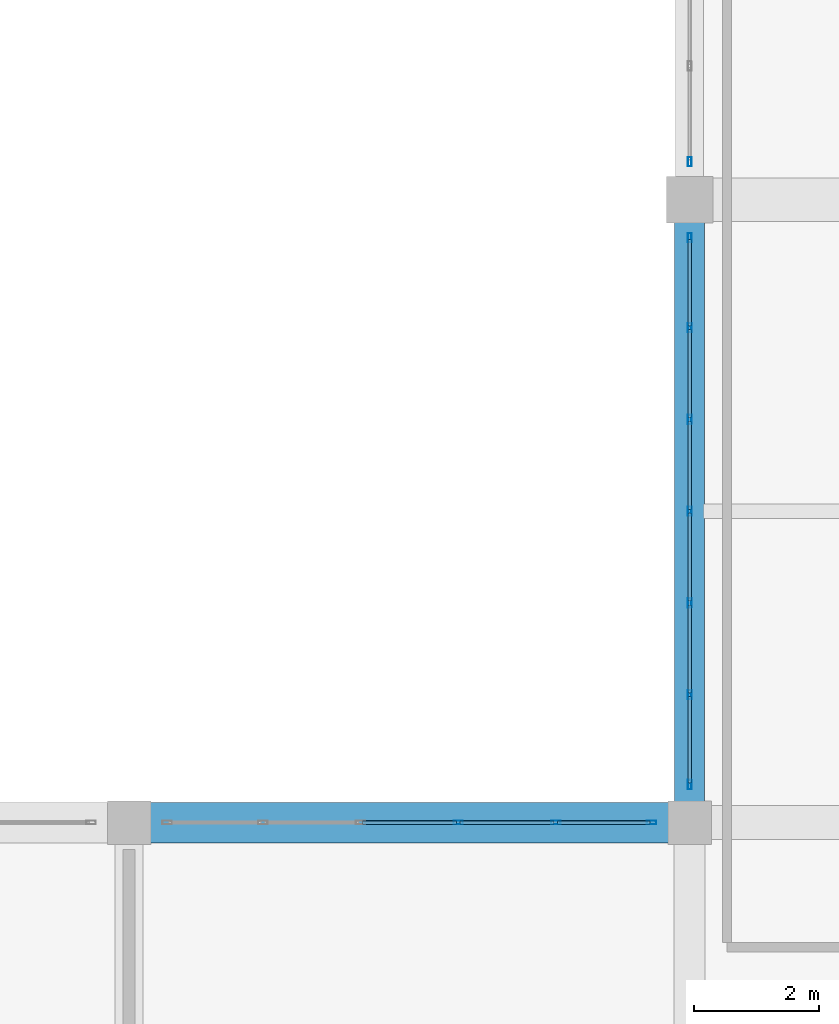
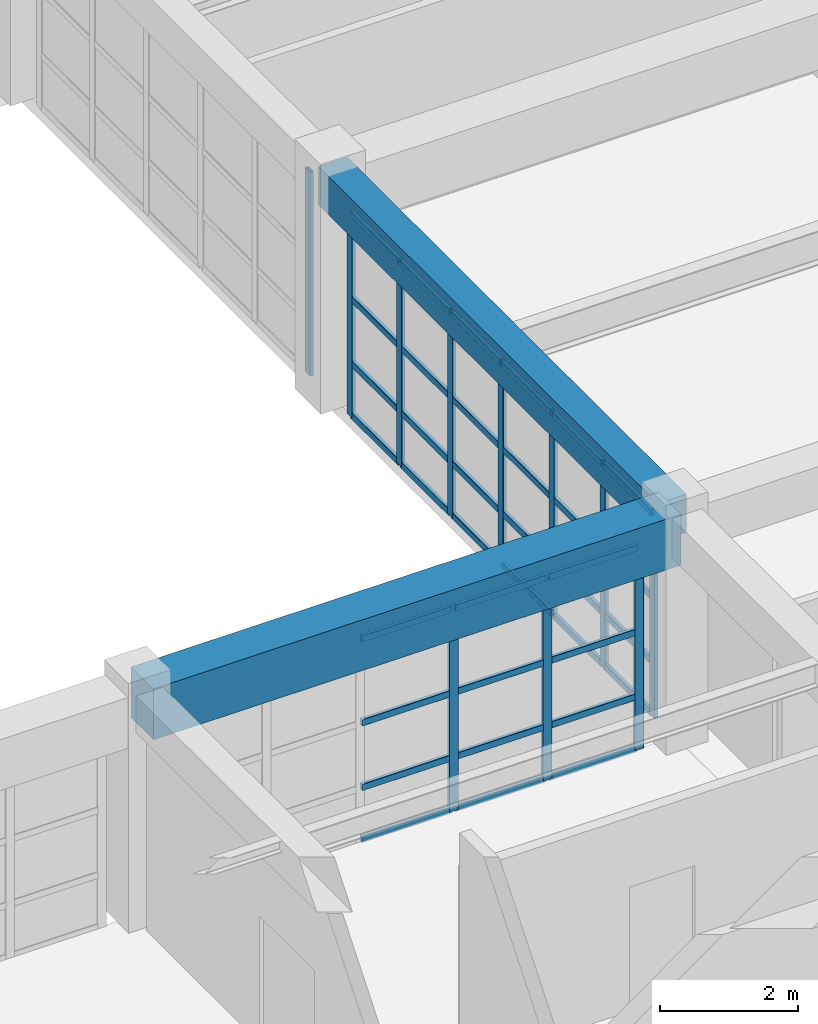
# One storey, part 59 of 133: 47 members, 2 beams, 3 elements without a shape of their own.
"""IFC4 building model written with IfcOpenShell, lengths in metres."""

from ifc_helpers import new_model, si_unit, direction, frame, origin, origin_2d, place, context, subcontext, project, spatial, rectangle, hollow_rectangle, extrude, material, material_profile, profile_set, type_object, element, aggregate, save


model = new_model("IFC4")

# Units and contexts
model_context = context("Model", 3, precision=1e-05, world=origin(), true_north=direction((0.0, 1.0)))
body_context = subcontext(model_context, "Body", "Model", "MODEL_VIEW")
ifc_project = project(units=[si_unit("LENGTHUNIT", "METRE"), si_unit("AREAUNIT", "SQUARE_METRE"), si_unit("VOLUMEUNIT", "CUBIC_METRE"), si_unit("PLANEANGLEUNIT", "RADIAN"), si_unit("MASSUNIT", "GRAM", prefix="KILO")], contexts=[model_context])

# Site, building, storey
site_placement = place(None, origin())
site = spatial("IfcSite", under=ifc_project, at=site_placement, CompositionType="ELEMENT")
building_placement = place(site_placement, origin())
building = spatial("IfcBuilding", under=site, at=building_placement, Name="Miravela Opera House", CompositionType="ELEMENT")
storey_placement = place(building_placement, frame((0.0, 0.0, 5.10009765625)))
storey = spatial("IfcBuildingStorey", under=building, at=storey_placement, Name="L01", CompositionType="ELEMENT", Elevation=5.10009765625)

# Curtain wall, members
ifc_material_1 = material(Name="Anodised architectural bronze aluminium 6063-T6", Category="aluminium")
curtain_wall_type = type_object("IfcCurtainWallType", Name="ARC-CW-05", PredefinedType="NOTDEFINED", material=ifc_material_1)
curtain_wall_1_placement = place(storey_placement, origin())
curtain_wall_1 = element("IfcCurtainWall", 1, at=curtain_wall_1_placement, inside=storey, type_object=curtain_wall_type, Name="Courtyard Arcade Curtain Wall CW-L01-083", PredefinedType="NOTDEFINED")
ifc_material_profile_1 = material_profile(ifc_material_1, hollow_rectangle(XDim=0.06005859375, YDim=0.14990234375, WallThickness=0.00390625, InnerFilletRadius=0.001953125, OuterFilletRadius=0.00390625, at=origin_2d()), Name="CWM-60X150")
ifc_profile_set_1 = profile_set([ifc_material_profile_1])
member_type_1 = type_object("IfcMemberType", Name="ARC-CWM-150", PredefinedType="MULLION", material=ifc_profile_set_1)
member_1_placement = place(storey_placement, frame((59.283935546875, 84.0, 0.0), z_axis=(0.0, 0.0, 1.0), x_axis=(0.0, 1.0, 0.0)))
member_1 = element("IfcMember", 2, at=member_1_placement, type_object=member_type_1, Name="CW-05 mullion 4", PredefinedType="MULLION", context=body_context, shape_type="SweptSolid", body=[
    extrude(hollow_rectangle(XDim=0.06005859375, YDim=0.14990234375, WallThickness=0.00390625, InnerFilletRadius=0.001953125, OuterFilletRadius=0.00390625, at=origin_2d()), origin(), (0.0, 0.0, 1.0), 3.60986328125),
])
member_2_placement = place(storey_placement, frame((60.85205078125, 84.0, 0.0), z_axis=(0.0, 0.0, 1.0), x_axis=(0.0, 1.0, 0.0)))
member_2 = element("IfcMember", 3, at=member_2_placement, type_object=member_type_1, Name="CW-05 mullion 5", PredefinedType="MULLION", context=body_context, shape_type="SweptSolid", body=[
    extrude(hollow_rectangle(XDim=0.06005859375, YDim=0.14990234375, WallThickness=0.00390625, InnerFilletRadius=0.001953125, OuterFilletRadius=0.00390625, at=origin_2d()), origin(), (0.0, 0.0, 1.0), 3.60986328125),
])
member_3_placement = place(storey_placement, frame((62.389892578125, 84.0, 0.0), z_axis=(0.0, 0.0, 1.0), x_axis=(0.0, 1.0, 0.0)))
member_3 = element("IfcMember", 4, at=member_3_placement, type_object=member_type_1, Name="CW-05 mullion 6", PredefinedType="MULLION", context=body_context, shape_type="SweptSolid", body=[
    extrude(hollow_rectangle(XDim=0.06005859375, YDim=0.14990234375, WallThickness=0.00390625, InnerFilletRadius=0.001953125, OuterFilletRadius=0.00390625, at=origin_2d()), origin(), (0.0, 0.0, 1.0), 3.60986328125),
])

curtain_wall_2_placement = place(storey_placement, origin())
curtain_wall_2 = element("IfcCurtainWall", 5, at=curtain_wall_2_placement, inside=storey, type_object=curtain_wall_type, Name="Courtyard Arcade Curtain Wall CW-L01-087", PredefinedType="NOTDEFINED")
member_4_placement = place(storey_placement, frame((63.0, 84.610107421875, 0.0), z_axis=(0.0, 0.0, 1.0), x_axis=(-1.0, 0.0, 0.0)))
member_4 = element("IfcMember", 6, at=member_4_placement, type_object=member_type_1, Name="CW-05 mullion 1", PredefinedType="MULLION", context=body_context, shape_type="SweptSolid", body=[
    extrude(hollow_rectangle(XDim=0.06005859375, YDim=0.14990234375, WallThickness=0.00390625, InnerFilletRadius=0.001953125, OuterFilletRadius=0.00390625, at=origin_2d()), origin(), (0.0, 0.0, 1.0), 3.60986328125),
])
member_5_placement = place(storey_placement, frame((63.0, 86.05322265625, 0.0), z_axis=(0.0, 0.0, 1.0), x_axis=(-1.0, 0.0, 0.0)))
member_5 = element("IfcMember", 7, at=member_5_placement, type_object=member_type_1, Name="CW-05 mullion 2", PredefinedType="MULLION", context=body_context, shape_type="SweptSolid", body=[
    extrude(hollow_rectangle(XDim=0.06005859375, YDim=0.14990234375, WallThickness=0.00390625, InnerFilletRadius=0.001953125, OuterFilletRadius=0.00390625, at=origin_2d()), origin(), (0.0, 0.0, 1.0), 3.60986328125),
])
member_6_placement = place(storey_placement, frame((63.0, 87.526611328125, 0.0), z_axis=(0.0, 0.0, 1.0), x_axis=(-1.0, 0.0, 0.0)))
member_6 = element("IfcMember", 8, at=member_6_placement, type_object=member_type_1, Name="CW-05 mullion 3", PredefinedType="MULLION", context=body_context, shape_type="SweptSolid", body=[
    extrude(hollow_rectangle(XDim=0.06005859375, YDim=0.14990234375, WallThickness=0.00390625, InnerFilletRadius=0.001953125, OuterFilletRadius=0.00390625, at=origin_2d()), origin(), (0.0, 0.0, 1.0), 3.60986328125),
])
member_7_placement = place(storey_placement, frame((63.0, 89.0, 0.0), z_axis=(0.0, 0.0, 1.0), x_axis=(-1.0, 0.0, 0.0)))
member_7 = element("IfcMember", 9, at=member_7_placement, type_object=member_type_1, Name="CW-05 mullion 4", PredefinedType="MULLION", context=body_context, shape_type="SweptSolid", body=[
    extrude(hollow_rectangle(XDim=0.06005859375, YDim=0.14990234375, WallThickness=0.00390625, InnerFilletRadius=0.001953125, OuterFilletRadius=0.00390625, at=origin_2d()), origin(), (0.0, 0.0, 1.0), 3.60986328125),
])
member_8_placement = place(storey_placement, frame((63.0, 90.473388671875, 0.0), z_axis=(0.0, 0.0, 1.0), x_axis=(-1.0, 0.0, 0.0)))
member_8 = element("IfcMember", 10, at=member_8_placement, type_object=member_type_1, Name="CW-05 mullion 5", PredefinedType="MULLION", context=body_context, shape_type="SweptSolid", body=[
    extrude(hollow_rectangle(XDim=0.06005859375, YDim=0.14990234375, WallThickness=0.00390625, InnerFilletRadius=0.001953125, OuterFilletRadius=0.00390625, at=origin_2d()), origin(), (0.0, 0.0, 1.0), 3.60986328125),
])
member_9_placement = place(storey_placement, frame((63.0, 91.94677734375, 0.0), z_axis=(0.0, 0.0, 1.0), x_axis=(-1.0, 0.0, 0.0)))
member_9 = element("IfcMember", 11, at=member_9_placement, type_object=member_type_1, Name="CW-05 mullion 6", PredefinedType="MULLION", context=body_context, shape_type="SweptSolid", body=[
    extrude(hollow_rectangle(XDim=0.06005859375, YDim=0.14990234375, WallThickness=0.00390625, InnerFilletRadius=0.001953125, OuterFilletRadius=0.00390625, at=origin_2d()), origin(), (0.0, 0.0, 1.0), 3.60986328125),
])
member_10_placement = place(storey_placement, frame((63.0, 93.389892578125, 0.0), z_axis=(0.0, 0.0, 1.0), x_axis=(-1.0, 0.0, 0.0)))
member_10 = element("IfcMember", 12, at=member_10_placement, type_object=member_type_1, Name="CW-05 mullion 7", PredefinedType="MULLION", context=body_context, shape_type="SweptSolid", body=[
    extrude(hollow_rectangle(XDim=0.06005859375, YDim=0.14990234375, WallThickness=0.00390625, InnerFilletRadius=0.001953125, OuterFilletRadius=0.00390625, at=origin_2d()), origin(), (0.0, 0.0, 1.0), 3.60986328125),
])

# Curtain wall, member
curtain_wall_3_placement = place(storey_placement, origin())
curtain_wall_3 = element("IfcCurtainWall", 13, at=curtain_wall_3_placement, inside=storey, type_object=curtain_wall_type, Name="Courtyard Arcade Curtain Wall CW-L01-088", PredefinedType="NOTDEFINED")
member_11_placement = place(storey_placement, frame((63.0, 94.610107421875, 0.0), z_axis=(0.0, 0.0, 1.0), x_axis=(-1.0, 0.0, 0.0)))
member_11 = element("IfcMember", 14, at=member_11_placement, type_object=member_type_1, Name="CW-05 mullion 1", PredefinedType="MULLION", context=body_context, shape_type="SweptSolid", body=[
    extrude(hollow_rectangle(XDim=0.06005859375, YDim=0.14990234375, WallThickness=0.00390625, InnerFilletRadius=0.001953125, OuterFilletRadius=0.00390625, at=origin_2d()), origin(), (0.0, 0.0, 1.0), 3.60986328125),
])
aggregate(curtain_wall_3, [member_11])

# Member
ifc_material_profile_2 = material_profile(ifc_material_1, hollow_rectangle(XDim=0.06005859375, YDim=0.114990234375, WallThickness=0.00390625, InnerFilletRadius=0.001953125, OuterFilletRadius=0.00390625, at=origin_2d()), Name="CWT-60X115")
ifc_profile_set_2 = profile_set([ifc_material_profile_2])
member_type_2 = type_object("IfcMemberType", Name="ARC-CWT-115", PredefinedType="USERDEFINED", material=ifc_profile_set_2)
member_12_placement = place(storey_placement, frame((57.74609375, 84.0, 0.02978515625), z_axis=(1.0, 0.0, 0.0), x_axis=(0.0, 1.0, 0.0)))
member_12 = element("IfcMember", 15, at=member_12_placement, type_object=member_type_2, Name="CW-05 transom 3.1", ObjectType="TRANSOM", PredefinedType="USERDEFINED", context=body_context, shape_type="SweptSolid", body=[
    extrude(hollow_rectangle(XDim=0.06005859375, YDim=0.114990234375, WallThickness=0.00390625, InnerFilletRadius=0.001953125, OuterFilletRadius=0.00390625, at=origin_2d()), origin(), (0.0, 0.0, 1.0), 1.5078125),
])

member_13_placement = place(storey_placement, frame((57.74609375, 84.0, 0.949951171875), z_axis=(1.0, 0.0, 0.0), x_axis=(0.0, 1.0, 0.0)))
member_13 = element("IfcMember", 16, at=member_13_placement, type_object=member_type_2, Name="CW-05 transom 3.2", ObjectType="TRANSOM", PredefinedType="USERDEFINED", context=body_context, shape_type="SweptSolid", body=[
    extrude(hollow_rectangle(XDim=0.06005859375, YDim=0.114990234375, WallThickness=0.00390625, InnerFilletRadius=0.001953125, OuterFilletRadius=0.00390625, at=origin_2d()), origin(), (0.0, 0.0, 1.0), 1.5078125),
])

member_14_placement = place(storey_placement, frame((57.74609375, 84.0, 2.09375), z_axis=(1.0, 0.0, 0.0), x_axis=(0.0, 1.0, 0.0)))
member_14 = element("IfcMember", 17, at=member_14_placement, type_object=member_type_2, Name="CW-05 transom 3.3", ObjectType="TRANSOM", PredefinedType="USERDEFINED", context=body_context, shape_type="SweptSolid", body=[
    extrude(hollow_rectangle(XDim=0.06005859375, YDim=0.114990234375, WallThickness=0.00390625, InnerFilletRadius=0.001953125, OuterFilletRadius=0.00390625, at=origin_2d()), origin(), (0.0, 0.0, 1.0), 1.5078125),
])

member_15_placement = place(storey_placement, frame((57.74609375, 84.0, 3.579833984375), z_axis=(1.0, 0.0, 0.0), x_axis=(0.0, 1.0, 0.0)))
member_15 = element("IfcMember", 18, at=member_15_placement, type_object=member_type_2, Name="CW-05 transom 3.4", ObjectType="TRANSOM", PredefinedType="USERDEFINED", context=body_context, shape_type="SweptSolid", body=[
    extrude(hollow_rectangle(XDim=0.06005859375, YDim=0.114990234375, WallThickness=0.00390625, InnerFilletRadius=0.001953125, OuterFilletRadius=0.00390625, at=origin_2d()), origin(), (0.0, 0.0, 1.0), 1.5078125),
])

member_16_placement = place(storey_placement, frame((59.31396484375, 84.0, 0.02978515625), z_axis=(1.0, 0.0, 0.0), x_axis=(0.0, 1.0, 0.0)))
member_16 = element("IfcMember", 19, at=member_16_placement, type_object=member_type_2, Name="CW-05 transom 4.1", ObjectType="TRANSOM", PredefinedType="USERDEFINED", context=body_context, shape_type="SweptSolid", body=[
    extrude(hollow_rectangle(XDim=0.06005859375, YDim=0.114990234375, WallThickness=0.00390625, InnerFilletRadius=0.001953125, OuterFilletRadius=0.00390625, at=origin_2d()), origin(), (0.0, 0.0, 1.0), 1.508056640625),
])

member_17_placement = place(storey_placement, frame((59.31396484375, 84.0, 0.949951171875), z_axis=(1.0, 0.0, 0.0), x_axis=(0.0, 1.0, 0.0)))
member_17 = element("IfcMember", 20, at=member_17_placement, type_object=member_type_2, Name="CW-05 transom 4.2", ObjectType="TRANSOM", PredefinedType="USERDEFINED", context=body_context, shape_type="SweptSolid", body=[
    extrude(hollow_rectangle(XDim=0.06005859375, YDim=0.114990234375, WallThickness=0.00390625, InnerFilletRadius=0.001953125, OuterFilletRadius=0.00390625, at=origin_2d()), origin(), (0.0, 0.0, 1.0), 1.508056640625),
])

member_18_placement = place(storey_placement, frame((59.31396484375, 84.0, 2.09375), z_axis=(1.0, 0.0, 0.0), x_axis=(0.0, 1.0, 0.0)))
member_18 = element("IfcMember", 21, at=member_18_placement, type_object=member_type_2, Name="CW-05 transom 4.3", ObjectType="TRANSOM", PredefinedType="USERDEFINED", context=body_context, shape_type="SweptSolid", body=[
    extrude(hollow_rectangle(XDim=0.06005859375, YDim=0.114990234375, WallThickness=0.00390625, InnerFilletRadius=0.001953125, OuterFilletRadius=0.00390625, at=origin_2d()), origin(), (0.0, 0.0, 1.0), 1.508056640625),
])

member_19_placement = place(storey_placement, frame((59.31396484375, 84.0, 3.579833984375), z_axis=(1.0, 0.0, 0.0), x_axis=(0.0, 1.0, 0.0)))
member_19 = element("IfcMember", 22, at=member_19_placement, type_object=member_type_2, Name="CW-05 transom 4.4", ObjectType="TRANSOM", PredefinedType="USERDEFINED", context=body_context, shape_type="SweptSolid", body=[
    extrude(hollow_rectangle(XDim=0.06005859375, YDim=0.114990234375, WallThickness=0.00390625, InnerFilletRadius=0.001953125, OuterFilletRadius=0.00390625, at=origin_2d()), origin(), (0.0, 0.0, 1.0), 1.508056640625),
])

member_20_placement = place(storey_placement, frame((60.882080078125, 84.0, 0.02978515625), z_axis=(1.0, 0.0, 0.0), x_axis=(0.0, 1.0, 0.0)))
member_20 = element("IfcMember", 23, at=member_20_placement, type_object=member_type_2, Name="CW-05 transom 5.1", ObjectType="TRANSOM", PredefinedType="USERDEFINED", context=body_context, shape_type="SweptSolid", body=[
    extrude(hollow_rectangle(XDim=0.06005859375, YDim=0.114990234375, WallThickness=0.00390625, InnerFilletRadius=0.001953125, OuterFilletRadius=0.00390625, at=origin_2d()), origin(), (0.0, 0.0, 1.0), 1.47802734375),
])

member_21_placement = place(storey_placement, frame((60.882080078125, 84.0, 0.949951171875), z_axis=(1.0, 0.0, 0.0), x_axis=(0.0, 1.0, 0.0)))
member_21 = element("IfcMember", 24, at=member_21_placement, type_object=member_type_2, Name="CW-05 transom 5.2", ObjectType="TRANSOM", PredefinedType="USERDEFINED", context=body_context, shape_type="SweptSolid", body=[
    extrude(hollow_rectangle(XDim=0.06005859375, YDim=0.114990234375, WallThickness=0.00390625, InnerFilletRadius=0.001953125, OuterFilletRadius=0.00390625, at=origin_2d()), origin(), (0.0, 0.0, 1.0), 1.47802734375),
])

member_22_placement = place(storey_placement, frame((60.882080078125, 84.0, 2.09375), z_axis=(1.0, 0.0, 0.0), x_axis=(0.0, 1.0, 0.0)))
member_22 = element("IfcMember", 25, at=member_22_placement, type_object=member_type_2, Name="CW-05 transom 5.3", ObjectType="TRANSOM", PredefinedType="USERDEFINED", context=body_context, shape_type="SweptSolid", body=[
    extrude(hollow_rectangle(XDim=0.06005859375, YDim=0.114990234375, WallThickness=0.00390625, InnerFilletRadius=0.001953125, OuterFilletRadius=0.00390625, at=origin_2d()), origin(), (0.0, 0.0, 1.0), 1.47802734375),
])

member_23_placement = place(storey_placement, frame((60.882080078125, 84.0, 3.579833984375), z_axis=(1.0, 0.0, 0.0), x_axis=(0.0, 1.0, 0.0)))
member_23 = element("IfcMember", 26, at=member_23_placement, type_object=member_type_2, Name="CW-05 transom 5.4", ObjectType="TRANSOM", PredefinedType="USERDEFINED", context=body_context, shape_type="SweptSolid", body=[
    extrude(hollow_rectangle(XDim=0.06005859375, YDim=0.114990234375, WallThickness=0.00390625, InnerFilletRadius=0.001953125, OuterFilletRadius=0.00390625, at=origin_2d()), origin(), (0.0, 0.0, 1.0), 1.47802734375),
])

aggregate(curtain_wall_1, [member_1, member_2, member_3, member_12, member_13, member_14, member_15, member_16, member_17, member_18, member_19, member_20, member_21, member_22, member_23])

member_24_placement = place(storey_placement, frame((63.0, 84.639892578125, 0.02978515625), z_axis=(0.0, 1.0, 0.0), x_axis=(-1.0, 0.0, 0.0)))
member_24 = element("IfcMember", 27, at=member_24_placement, type_object=member_type_2, Name="CW-05 transom 1.1", ObjectType="TRANSOM", PredefinedType="USERDEFINED", context=body_context, shape_type="SweptSolid", body=[
    extrude(hollow_rectangle(XDim=0.06005859375, YDim=0.114990234375, WallThickness=0.00390625, InnerFilletRadius=0.001953125, OuterFilletRadius=0.00390625, at=origin_2d()), origin(), (0.0, 0.0, 1.0), 1.383544921875),
])

member_25_placement = place(storey_placement, frame((63.0, 84.639892578125, 0.949951171875), z_axis=(0.0, 1.0, 0.0), x_axis=(-1.0, 0.0, 0.0)))
member_25 = element("IfcMember", 28, at=member_25_placement, type_object=member_type_2, Name="CW-05 transom 1.2", ObjectType="TRANSOM", PredefinedType="USERDEFINED", context=body_context, shape_type="SweptSolid", body=[
    extrude(hollow_rectangle(XDim=0.06005859375, YDim=0.114990234375, WallThickness=0.00390625, InnerFilletRadius=0.001953125, OuterFilletRadius=0.00390625, at=origin_2d()), origin(), (0.0, 0.0, 1.0), 1.383544921875),
])

member_26_placement = place(storey_placement, frame((63.0, 84.639892578125, 2.09375), z_axis=(0.0, 1.0, 0.0), x_axis=(-1.0, 0.0, 0.0)))
member_26 = element("IfcMember", 29, at=member_26_placement, type_object=member_type_2, Name="CW-05 transom 1.3", ObjectType="TRANSOM", PredefinedType="USERDEFINED", context=body_context, shape_type="SweptSolid", body=[
    extrude(hollow_rectangle(XDim=0.06005859375, YDim=0.114990234375, WallThickness=0.00390625, InnerFilletRadius=0.001953125, OuterFilletRadius=0.00390625, at=origin_2d()), origin(), (0.0, 0.0, 1.0), 1.383544921875),
])

member_27_placement = place(storey_placement, frame((63.0, 84.639892578125, 3.579833984375), z_axis=(0.0, 1.0, 0.0), x_axis=(-1.0, 0.0, 0.0)))
member_27 = element("IfcMember", 30, at=member_27_placement, type_object=member_type_2, Name="CW-05 transom 1.4", ObjectType="TRANSOM", PredefinedType="USERDEFINED", context=body_context, shape_type="SweptSolid", body=[
    extrude(hollow_rectangle(XDim=0.06005859375, YDim=0.114990234375, WallThickness=0.00390625, InnerFilletRadius=0.001953125, OuterFilletRadius=0.00390625, at=origin_2d()), origin(), (0.0, 0.0, 1.0), 1.383544921875),
])

member_28_placement = place(storey_placement, frame((63.0, 86.083251953125, 0.02978515625), z_axis=(0.0, 1.0, 0.0), x_axis=(-1.0, 0.0, 0.0)))
member_28 = element("IfcMember", 31, at=member_28_placement, type_object=member_type_2, Name="CW-05 transom 2.1", ObjectType="TRANSOM", PredefinedType="USERDEFINED", context=body_context, shape_type="SweptSolid", body=[
    extrude(hollow_rectangle(XDim=0.06005859375, YDim=0.114990234375, WallThickness=0.00390625, InnerFilletRadius=0.001953125, OuterFilletRadius=0.00390625, at=origin_2d()), origin(), (0.0, 0.0, 1.0), 1.413330078125),
])

member_29_placement = place(storey_placement, frame((63.0, 86.083251953125, 0.949951171875), z_axis=(0.0, 1.0, 0.0), x_axis=(-1.0, 0.0, 0.0)))
member_29 = element("IfcMember", 32, at=member_29_placement, type_object=member_type_2, Name="CW-05 transom 2.2", ObjectType="TRANSOM", PredefinedType="USERDEFINED", context=body_context, shape_type="SweptSolid", body=[
    extrude(hollow_rectangle(XDim=0.06005859375, YDim=0.114990234375, WallThickness=0.00390625, InnerFilletRadius=0.001953125, OuterFilletRadius=0.00390625, at=origin_2d()), origin(), (0.0, 0.0, 1.0), 1.413330078125),
])

member_30_placement = place(storey_placement, frame((63.0, 86.083251953125, 2.09375), z_axis=(0.0, 1.0, 0.0), x_axis=(-1.0, 0.0, 0.0)))
member_30 = element("IfcMember", 33, at=member_30_placement, type_object=member_type_2, Name="CW-05 transom 2.3", ObjectType="TRANSOM", PredefinedType="USERDEFINED", context=body_context, shape_type="SweptSolid", body=[
    extrude(hollow_rectangle(XDim=0.06005859375, YDim=0.114990234375, WallThickness=0.00390625, InnerFilletRadius=0.001953125, OuterFilletRadius=0.00390625, at=origin_2d()), origin(), (0.0, 0.0, 1.0), 1.413330078125),
])

member_31_placement = place(storey_placement, frame((63.0, 86.083251953125, 3.579833984375), z_axis=(0.0, 1.0, 0.0), x_axis=(-1.0, 0.0, 0.0)))
member_31 = element("IfcMember", 34, at=member_31_placement, type_object=member_type_2, Name="CW-05 transom 2.4", ObjectType="TRANSOM", PredefinedType="USERDEFINED", context=body_context, shape_type="SweptSolid", body=[
    extrude(hollow_rectangle(XDim=0.06005859375, YDim=0.114990234375, WallThickness=0.00390625, InnerFilletRadius=0.001953125, OuterFilletRadius=0.00390625, at=origin_2d()), origin(), (0.0, 0.0, 1.0), 1.413330078125),
])

member_32_placement = place(storey_placement, frame((63.0, 87.556640625, 0.02978515625), z_axis=(0.0, 1.0, 0.0), x_axis=(-1.0, 0.0, 0.0)))
member_32 = element("IfcMember", 35, at=member_32_placement, type_object=member_type_2, Name="CW-05 transom 3.1", ObjectType="TRANSOM", PredefinedType="USERDEFINED", context=body_context, shape_type="SweptSolid", body=[
    extrude(hollow_rectangle(XDim=0.06005859375, YDim=0.114990234375, WallThickness=0.00390625, InnerFilletRadius=0.001953125, OuterFilletRadius=0.00390625, at=origin_2d()), origin(), (0.0, 0.0, 1.0), 1.413330078125),
])

member_33_placement = place(storey_placement, frame((63.0, 87.556640625, 0.949951171875), z_axis=(0.0, 1.0, 0.0), x_axis=(-1.0, 0.0, 0.0)))
member_33 = element("IfcMember", 36, at=member_33_placement, type_object=member_type_2, Name="CW-05 transom 3.2", ObjectType="TRANSOM", PredefinedType="USERDEFINED", context=body_context, shape_type="SweptSolid", body=[
    extrude(hollow_rectangle(XDim=0.06005859375, YDim=0.114990234375, WallThickness=0.00390625, InnerFilletRadius=0.001953125, OuterFilletRadius=0.00390625, at=origin_2d()), origin(), (0.0, 0.0, 1.0), 1.413330078125),
])

member_34_placement = place(storey_placement, frame((63.0, 87.556640625, 2.09375), z_axis=(0.0, 1.0, 0.0), x_axis=(-1.0, 0.0, 0.0)))
member_34 = element("IfcMember", 37, at=member_34_placement, type_object=member_type_2, Name="CW-05 transom 3.3", ObjectType="TRANSOM", PredefinedType="USERDEFINED", context=body_context, shape_type="SweptSolid", body=[
    extrude(hollow_rectangle(XDim=0.06005859375, YDim=0.114990234375, WallThickness=0.00390625, InnerFilletRadius=0.001953125, OuterFilletRadius=0.00390625, at=origin_2d()), origin(), (0.0, 0.0, 1.0), 1.413330078125),
])

member_35_placement = place(storey_placement, frame((63.0, 87.556640625, 3.579833984375), z_axis=(0.0, 1.0, 0.0), x_axis=(-1.0, 0.0, 0.0)))
member_35 = element("IfcMember", 38, at=member_35_placement, type_object=member_type_2, Name="CW-05 transom 3.4", ObjectType="TRANSOM", PredefinedType="USERDEFINED", context=body_context, shape_type="SweptSolid", body=[
    extrude(hollow_rectangle(XDim=0.06005859375, YDim=0.114990234375, WallThickness=0.00390625, InnerFilletRadius=0.001953125, OuterFilletRadius=0.00390625, at=origin_2d()), origin(), (0.0, 0.0, 1.0), 1.413330078125),
])

member_36_placement = place(storey_placement, frame((63.0, 89.030029296875, 0.02978515625), z_axis=(0.0, 1.0, 0.0), x_axis=(-1.0, 0.0, 0.0)))
member_36 = element("IfcMember", 39, at=member_36_placement, type_object=member_type_2, Name="CW-05 transom 4.1", ObjectType="TRANSOM", PredefinedType="USERDEFINED", context=body_context, shape_type="SweptSolid", body=[
    extrude(hollow_rectangle(XDim=0.06005859375, YDim=0.114990234375, WallThickness=0.00390625, InnerFilletRadius=0.001953125, OuterFilletRadius=0.00390625, at=origin_2d()), origin(), (0.0, 0.0, 1.0), 1.413330078125),
])

member_37_placement = place(storey_placement, frame((63.0, 89.030029296875, 0.949951171875), z_axis=(0.0, 1.0, 0.0), x_axis=(-1.0, 0.0, 0.0)))
member_37 = element("IfcMember", 40, at=member_37_placement, type_object=member_type_2, Name="CW-05 transom 4.2", ObjectType="TRANSOM", PredefinedType="USERDEFINED", context=body_context, shape_type="SweptSolid", body=[
    extrude(hollow_rectangle(XDim=0.06005859375, YDim=0.114990234375, WallThickness=0.00390625, InnerFilletRadius=0.001953125, OuterFilletRadius=0.00390625, at=origin_2d()), origin(), (0.0, 0.0, 1.0), 1.413330078125),
])

member_38_placement = place(storey_placement, frame((63.0, 89.030029296875, 2.09375), z_axis=(0.0, 1.0, 0.0), x_axis=(-1.0, 0.0, 0.0)))
member_38 = element("IfcMember", 41, at=member_38_placement, type_object=member_type_2, Name="CW-05 transom 4.3", ObjectType="TRANSOM", PredefinedType="USERDEFINED", context=body_context, shape_type="SweptSolid", body=[
    extrude(hollow_rectangle(XDim=0.06005859375, YDim=0.114990234375, WallThickness=0.00390625, InnerFilletRadius=0.001953125, OuterFilletRadius=0.00390625, at=origin_2d()), origin(), (0.0, 0.0, 1.0), 1.413330078125),
])

member_39_placement = place(storey_placement, frame((63.0, 89.030029296875, 3.579833984375), z_axis=(0.0, 1.0, 0.0), x_axis=(-1.0, 0.0, 0.0)))
member_39 = element("IfcMember", 42, at=member_39_placement, type_object=member_type_2, Name="CW-05 transom 4.4", ObjectType="TRANSOM", PredefinedType="USERDEFINED", context=body_context, shape_type="SweptSolid", body=[
    extrude(hollow_rectangle(XDim=0.06005859375, YDim=0.114990234375, WallThickness=0.00390625, InnerFilletRadius=0.001953125, OuterFilletRadius=0.00390625, at=origin_2d()), origin(), (0.0, 0.0, 1.0), 1.413330078125),
])

member_40_placement = place(storey_placement, frame((63.0, 90.50341796875, 0.02978515625), z_axis=(0.0, 1.0, 0.0), x_axis=(-1.0, 0.0, 0.0)))
member_40 = element("IfcMember", 43, at=member_40_placement, type_object=member_type_2, Name="CW-05 transom 5.1", ObjectType="TRANSOM", PredefinedType="USERDEFINED", context=body_context, shape_type="SweptSolid", body=[
    extrude(hollow_rectangle(XDim=0.06005859375, YDim=0.114990234375, WallThickness=0.00390625, InnerFilletRadius=0.001953125, OuterFilletRadius=0.00390625, at=origin_2d()), origin(), (0.0, 0.0, 1.0), 1.413330078125),
])

member_41_placement = place(storey_placement, frame((63.0, 90.50341796875, 0.949951171875), z_axis=(0.0, 1.0, 0.0), x_axis=(-1.0, 0.0, 0.0)))
member_41 = element("IfcMember", 44, at=member_41_placement, type_object=member_type_2, Name="CW-05 transom 5.2", ObjectType="TRANSOM", PredefinedType="USERDEFINED", context=body_context, shape_type="SweptSolid", body=[
    extrude(hollow_rectangle(XDim=0.06005859375, YDim=0.114990234375, WallThickness=0.00390625, InnerFilletRadius=0.001953125, OuterFilletRadius=0.00390625, at=origin_2d()), origin(), (0.0, 0.0, 1.0), 1.413330078125),
])

member_42_placement = place(storey_placement, frame((63.0, 90.50341796875, 2.09375), z_axis=(0.0, 1.0, 0.0), x_axis=(-1.0, 0.0, 0.0)))
member_42 = element("IfcMember", 45, at=member_42_placement, type_object=member_type_2, Name="CW-05 transom 5.3", ObjectType="TRANSOM", PredefinedType="USERDEFINED", context=body_context, shape_type="SweptSolid", body=[
    extrude(hollow_rectangle(XDim=0.06005859375, YDim=0.114990234375, WallThickness=0.00390625, InnerFilletRadius=0.001953125, OuterFilletRadius=0.00390625, at=origin_2d()), origin(), (0.0, 0.0, 1.0), 1.413330078125),
])

member_43_placement = place(storey_placement, frame((63.0, 90.50341796875, 3.579833984375), z_axis=(0.0, 1.0, 0.0), x_axis=(-1.0, 0.0, 0.0)))
member_43 = element("IfcMember", 46, at=member_43_placement, type_object=member_type_2, Name="CW-05 transom 5.4", ObjectType="TRANSOM", PredefinedType="USERDEFINED", context=body_context, shape_type="SweptSolid", body=[
    extrude(hollow_rectangle(XDim=0.06005859375, YDim=0.114990234375, WallThickness=0.00390625, InnerFilletRadius=0.001953125, OuterFilletRadius=0.00390625, at=origin_2d()), origin(), (0.0, 0.0, 1.0), 1.413330078125),
])

member_44_placement = place(storey_placement, frame((63.0, 91.9765625, 0.02978515625), z_axis=(0.0, 1.0, 0.0), x_axis=(-1.0, 0.0, 0.0)))
member_44 = element("IfcMember", 47, at=member_44_placement, type_object=member_type_2, Name="CW-05 transom 6.1", ObjectType="TRANSOM", PredefinedType="USERDEFINED", context=body_context, shape_type="SweptSolid", body=[
    extrude(hollow_rectangle(XDim=0.06005859375, YDim=0.114990234375, WallThickness=0.00390625, InnerFilletRadius=0.001953125, OuterFilletRadius=0.00390625, at=origin_2d()), origin(), (0.0, 0.0, 1.0), 1.383544921875),
])

member_45_placement = place(storey_placement, frame((63.0, 91.9765625, 0.949951171875), z_axis=(0.0, 1.0, 0.0), x_axis=(-1.0, 0.0, 0.0)))
member_45 = element("IfcMember", 48, at=member_45_placement, type_object=member_type_2, Name="CW-05 transom 6.2", ObjectType="TRANSOM", PredefinedType="USERDEFINED", context=body_context, shape_type="SweptSolid", body=[
    extrude(hollow_rectangle(XDim=0.06005859375, YDim=0.114990234375, WallThickness=0.00390625, InnerFilletRadius=0.001953125, OuterFilletRadius=0.00390625, at=origin_2d()), origin(), (0.0, 0.0, 1.0), 1.383544921875),
])

member_46_placement = place(storey_placement, frame((63.0, 91.9765625, 2.09375), z_axis=(0.0, 1.0, 0.0), x_axis=(-1.0, 0.0, 0.0)))
member_46 = element("IfcMember", 49, at=member_46_placement, type_object=member_type_2, Name="CW-05 transom 6.3", ObjectType="TRANSOM", PredefinedType="USERDEFINED", context=body_context, shape_type="SweptSolid", body=[
    extrude(hollow_rectangle(XDim=0.06005859375, YDim=0.114990234375, WallThickness=0.00390625, InnerFilletRadius=0.001953125, OuterFilletRadius=0.00390625, at=origin_2d()), origin(), (0.0, 0.0, 1.0), 1.383544921875),
])

member_47_placement = place(storey_placement, frame((63.0, 91.9765625, 3.579833984375), z_axis=(0.0, 1.0, 0.0), x_axis=(-1.0, 0.0, 0.0)))
member_47 = element("IfcMember", 50, at=member_47_placement, type_object=member_type_2, Name="CW-05 transom 6.4", ObjectType="TRANSOM", PredefinedType="USERDEFINED", context=body_context, shape_type="SweptSolid", body=[
    extrude(hollow_rectangle(XDim=0.06005859375, YDim=0.114990234375, WallThickness=0.00390625, InnerFilletRadius=0.001953125, OuterFilletRadius=0.00390625, at=origin_2d()), origin(), (0.0, 0.0, 1.0), 1.383544921875),
])

aggregate(curtain_wall_2, [member_4, member_5, member_6, member_7, member_8, member_9, member_10, member_24, member_25, member_26, member_27, member_28, member_29, member_30, member_31, member_32, member_33, member_34, member_35, member_36, member_37, member_38, member_39, member_40, member_41, member_42, member_43, member_44, member_45, member_46, member_47])

# Beams
ifc_material_2 = material(Name="Concrete C35/45", Category="concrete")
ifc_material_profile_3 = material_profile(ifc_material_2, rectangle(XDim=0.47998046875, YDim=0.679931640625, at=origin_2d()), Name="RC-BM-480X680")
ifc_profile_set_3 = profile_set([ifc_material_profile_3])
beam_type_1 = type_object("IfcBeamType", Name="STR-BM-RC480X680", PredefinedType="BEAM", material=ifc_profile_set_3)
beam_1_placement = place(storey_placement, frame((63.0, 84.080078125, 3.81982421875), z_axis=(0.0, 1.0, 0.0), x_axis=(-1.0, 0.0, 0.0)))
element("IfcBeam", 51, at=beam_1_placement, inside=storey, type_object=beam_type_1, Name="Floor Girder L01 8/J-K", PredefinedType="BEAM", context=body_context, shape_type="SweptSolid", body=[
    extrude(rectangle(XDim=0.47998046875, YDim=0.679931640625, at=origin_2d()), origin(), (0.0, 0.0, 1.0), 9.83984375),
])
ifc_material_3 = material(Name="Concrete C40/50", Category="concrete")
ifc_material_profile_4 = material_profile(ifc_material_3, rectangle(XDim=0.64990234375, YDim=0.89990234375, at=origin_2d()), Name="RC-BM-650X900")
ifc_profile_set_4 = profile_set([ifc_material_profile_4])
beam_type_2 = type_object("IfcBeamType", Name="STR-BM-RC650X900", PredefinedType="BEAM", material=ifc_profile_set_4)
beam_2_placement = place(storey_placement, frame((54.080078125, 84.0, 3.7099609375), z_axis=(1.0, 0.0, 0.0), x_axis=(0.0, 1.0, 0.0)))
element("IfcBeam", 52, at=beam_2_placement, inside=storey, type_object=beam_type_2, Name="Floor Girder L01 7-8/J", PredefinedType="BEAM", context=body_context, shape_type="SweptSolid", body=[
    extrude(rectangle(XDim=0.64990234375, YDim=0.89990234375, at=origin_2d()), origin(), (0.0, 0.0, 1.0), 8.83984375),
])

save(model, "model.ifc")
